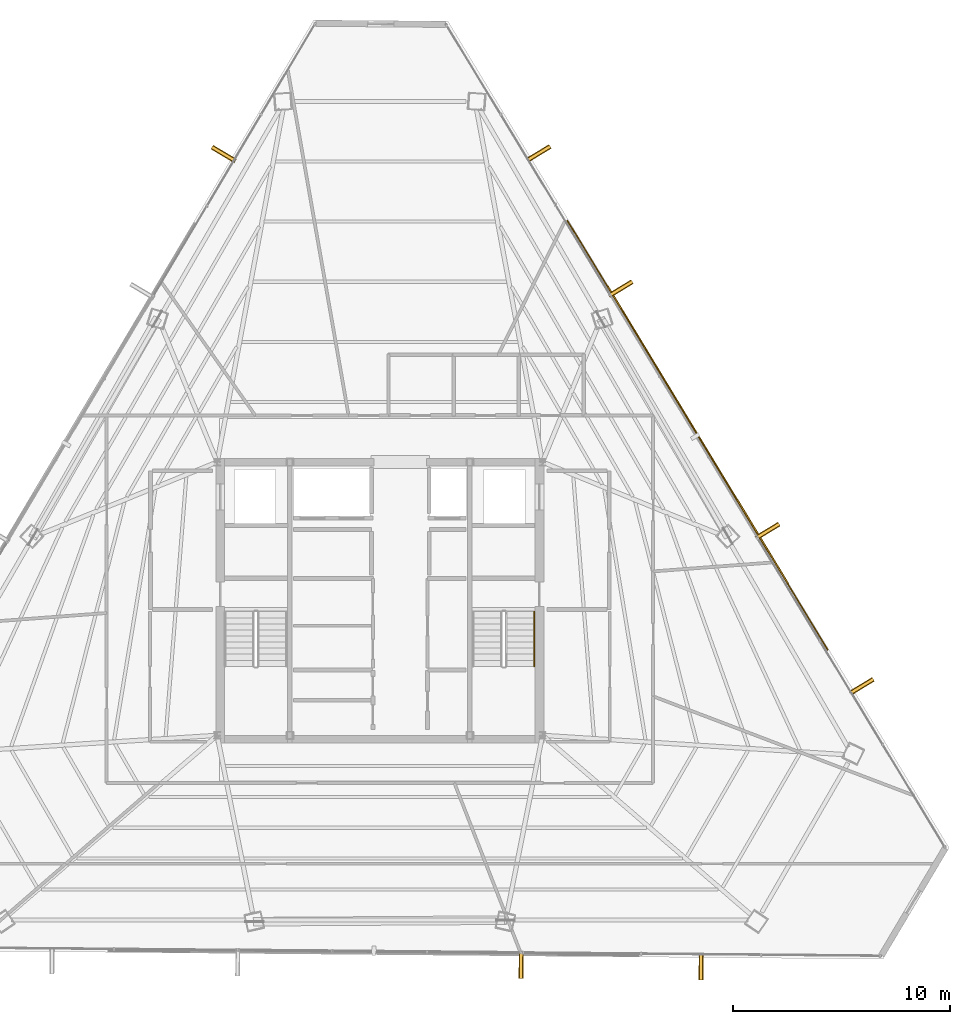
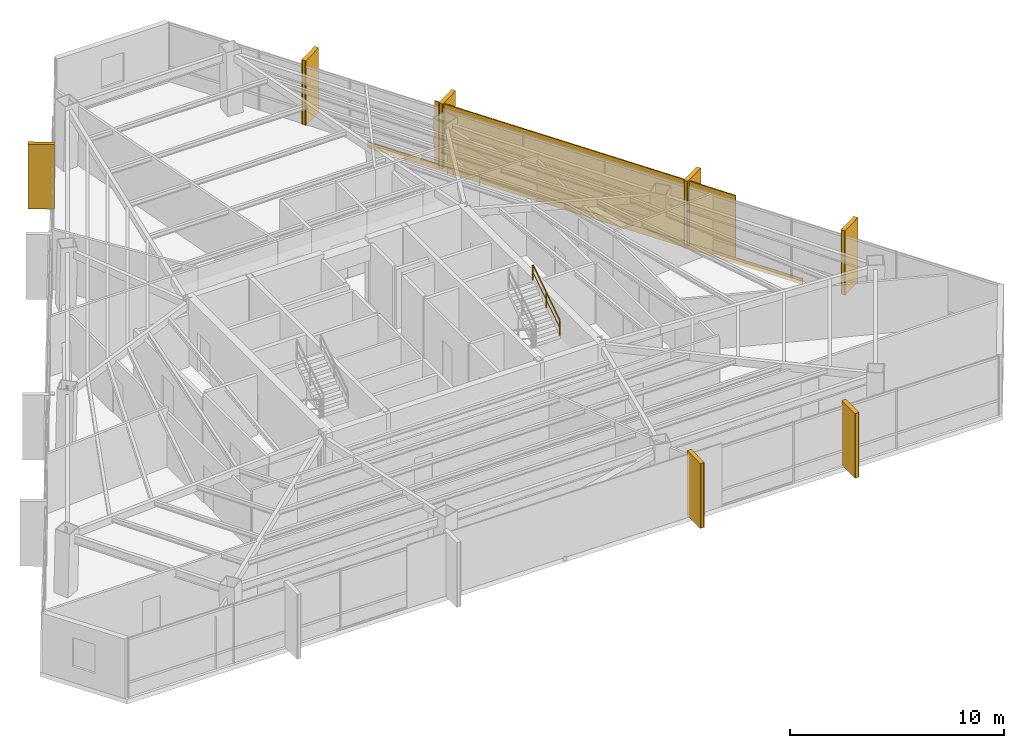
# One storey, part 47 of 47: 8 coverings, 8 shading devices, 1 railing.
"""IFC4 building model written with IfcOpenShell, lengths in metres."""

from ifc_helpers import new_model, si_unit, direction, frame, origin, origin_2d, place, context, subcontext, project, spatial, rectangle, extrude, source, transform, mapped, material, layer, layer_set, type_object, type_shapes, element, save


model = new_model("IFC4")

# Units and contexts
model_context = context("Model", 3, precision=1e-05, world=origin(), true_north=direction((0.0, 1.0)))
body_context = subcontext(model_context, "Body", "Model", "MODEL_VIEW")
ifc_project = project(units=[si_unit("LENGTHUNIT", "METRE"), si_unit("AREAUNIT", "SQUARE_METRE"), si_unit("VOLUMEUNIT", "CUBIC_METRE"), si_unit("PLANEANGLEUNIT", "RADIAN"), si_unit("MASSUNIT", "GRAM", prefix="KILO")], contexts=[model_context])

# Site, building, storey
site_placement = place(None, origin())
site = spatial("IfcSite", under=ifc_project, at=site_placement, CompositionType="ELEMENT")
building_placement = place(site_placement, origin())
building = spatial("IfcBuilding", under=site, at=building_placement, Name="Caelisora Broadcast Tower", CompositionType="ELEMENT")
storey_placement = place(building_placement, frame((0.0, 0.0, 229.85009765625)))
storey = spatial("IfcBuildingStorey", under=building, at=storey_placement, Name="L60", CompositionType="ELEMENT", Elevation=229.85009765625)

# Railing
ifc_material_1 = material(Name="Stainless Steel Grade 316 Tubular Handrail", Category="steel")
ifc_layer_1 = layer(ifc_material_1, 0.048095703125, Name="Stainless Steel Grade 316 Tubular Handrail")
ifc_layer_set_1 = layer_set([ifc_layer_1], Name="Stainless Steel Grade 316 Tubular Handrail")
railing_type = type_object("IfcRailingType", Name="HR-1", PredefinedType="HANDRAIL", material=ifc_layer_set_1)
railing_placement = place(storey_placement, frame((45.1298828125, 20.580078125, 2.00732421875)))
element("IfcRailing", 1, at=railing_placement, inside=storey, type_object=railing_type, Name="L60 ST-2 stair handrail 2", PredefinedType="HANDRAIL", context=body_context, shape_type="SweptSolid", body=[
    extrude(rectangle(XDim=0.048095703125, YDim=0.048095703125, at=origin_2d()), frame((0.0, 0.0, 0.8759765625), z_axis=(0.0, 0.837749427056, 0.546054848405), x_axis=(-1.0, 0.0, 0.0)), (0.0, 0.0, 1.0), 3.008056640625),
    extrude(rectangle(XDim=0.03125, YDim=0.03125, at=origin_2d()), frame((0.0, 0.0, 0.449951171875), z_axis=(0.0, 0.837749427056, 0.546054848405), x_axis=(-1.0, 0.0, 0.0)), (0.0, 0.0, 1.0), 3.008056640625),
    extrude(rectangle(XDim=0.0419921875, YDim=0.0419921875, at=origin_2d()), origin(), (0.0, 0.0, 1.0), 0.851806640625),
    extrude(rectangle(XDim=0.0419921875, YDim=0.0419921875, at=origin_2d()), frame((0.0, 1.260009765625, 0.8212890625)), (0.0, 0.0, 1.0), 0.851806640625),
    extrude(rectangle(XDim=0.0419921875, YDim=0.0419921875, at=origin_2d()), frame((0.0, 2.52001953125, 1.642578125)), (0.0, 0.0, 1.0), 0.851806640625),
])

# Coverings
ifc_material_2 = material(Name="Kiln-Fired Terracotta Spandrel Rainscreen Cladding", Category="ceramic")
ifc_layer_2 = layer(ifc_material_2, 0.044921875, Name="Kiln-Fired Terracotta Spandrel Rainscreen Cladding")
ifc_layer_set_2 = layer_set([ifc_layer_2], Name="Kiln-Fired Terracotta Spandrel Rainscreen Cladding")
covering_type = type_object("IfcCoveringType", Name="CL-1", PredefinedType="CLADDING", material=ifc_layer_set_2)
shared_shape_1 = source(origin(), body_context, "Body", "SweptSolid", [
    extrude(rectangle(XDim=0.219970703125, YDim=1.25, at=origin_2d()), origin(), (0.0, 0.0, 1.0), 3.68994140625),
])
for number, where, z_axis, x_axis, name in (
    (2, (45.322998046875, 44.233642578125, -0.02001953125), (0.0, 0.0, 1.0), (0.518474806022, -0.855092904614, 0.0), "L60 vertical solar fin cladding #1-1"),
    (3, (49.10595703125, 37.993896484375, -0.02001953125), (0.0, 0.0, 1.0), (0.518474806022, -0.855092904614, 0.0), "L60 vertical solar fin cladding #1-2"),
    (4, (55.881103515625, 26.819091796875, -0.02001953125), (0.0, 0.0, 1.0), (0.518474806022, -0.855092904614, 0.0), "L60 vertical solar fin cladding #1-3"),
    (5, (60.220947265625, 19.66064453125, -0.02001953125), (0.0, 0.0, 1.0), (0.518474806022, -0.855092904614, 0.0), "L60 vertical solar fin cladding #1-4"),
    (6, (52.81689453125, 6.74365234375, -0.02001953125), (0.0, 0.0, 1.0), (-0.999960384766, 0.008901061644, 0.0), "L60 vertical solar fin cladding #2-1"),
    (7, (44.517822265625, 6.817138671875, -0.02001953125), (0.0, 0.0, 1.0), (-0.999960384766, 0.008901061644, 0.0), "L60 vertical solar fin cladding #2-2"),
    (8, (30.799072265625, 44.20556640625, -0.02001953125), (0.0, 0.0, 1.0), (0.510843031866, 0.859674006117, 0.0), "L60 vertical solar fin cladding #3-4"),
):
    element("IfcCovering", number, at=place(storey_placement, frame(where, z_axis=z_axis, x_axis=x_axis)), inside=storey, type_object=covering_type, Name=name, PredefinedType="CLADDING", context=body_context, shape_type="MappedRepresentation", body=[
        mapped(shared_shape_1, transform((0.0, 0.0, 0.0), scale=1.0)),
    ])

# Shading devices
ifc_material_3 = material(Name="Extruded Terracotta Flaring Colonnade Fin", Category="ceramic")
ifc_layer_3 = layer(ifc_material_3, 0.139892578125, Name="Extruded Terracotta Flaring Colonnade Fin")
ifc_layer_set_3 = layer_set([ifc_layer_3], Name="Extruded Terracotta Flaring Colonnade Fin")
shading_device_type_1 = type_object("IfcShadingDeviceType", Name="FN-1", PredefinedType="USERDEFINED", material=ifc_layer_set_3)
shared_shape_2 = source(origin(), body_context, "Body", "SweptSolid", [
    extrude(rectangle(XDim=0.139892578125, YDim=1.25, at=origin_2d()), origin(), (0.0, 0.0, 1.0), 3.669921875),
])
type_shapes(shading_device_type_1, [shared_shape_2])
for number, where, z_axis, x_axis, name in (
    (9, (45.322998046875, 44.233642578125, -0.010009765625), (0.0, 0.0, 1.0), (0.518474806022, -0.855092904614, 0.0), "L60 vertical terracotta fin #1-1"),
    (10, (49.10595703125, 37.993896484375, -0.010009765625), (0.0, 0.0, 1.0), (0.518474806022, -0.855092904614, 0.0), "L60 vertical terracotta fin #1-2"),
    (11, (55.881103515625, 26.819091796875, -0.010009765625), (0.0, 0.0, 1.0), (0.518474806022, -0.855092904614, 0.0), "L60 vertical terracotta fin #1-3"),
    (12, (60.220947265625, 19.66064453125, -0.010009765625), (0.0, 0.0, 1.0), (0.518474806022, -0.855092904614, 0.0), "L60 vertical terracotta fin #1-4"),
    (13, (52.81689453125, 6.74365234375, -0.010009765625), (0.0, 0.0, 1.0), (-0.999960384766, 0.008901061644, 0.0), "L60 vertical terracotta fin #2-1"),
    (14, (44.517822265625, 6.817138671875, -0.010009765625), (0.0, 0.0, 1.0), (-0.999960384766, 0.008901061644, 0.0), "L60 vertical terracotta fin #2-2"),
    (15, (30.799072265625, 44.20556640625, -0.010009765625), (0.0, 0.0, 1.0), (0.510843031866, 0.859674006117, 0.0), "L60 vertical terracotta fin #3-4"),
):
    element("IfcShadingDevice", number, at=place(storey_placement, frame(where, z_axis=z_axis, x_axis=x_axis)), inside=storey, type_object=shading_device_type_1, Name=name, ObjectType="FIN", PredefinedType="USERDEFINED", context=body_context, shape_type="MappedRepresentation", body=[
        mapped(shared_shape_2, transform((0.0, 0.0, 0.0), scale=1.0)),
    ])
ifc_material_4 = material(Name="Perforated Glazed Terracotta Baguette Solar Screen", Category="ceramic")
ifc_layer_4 = layer(ifc_material_4, 0.06494140625, Name="Perforated Glazed Terracotta Baguette Solar Screen")
ifc_layer_set_4 = layer_set([ifc_layer_4], Name="Perforated Glazed Terracotta Baguette Solar Screen")
shading_device_type_2 = type_object("IfcShadingDeviceType", Name="SS-1", PredefinedType="USERDEFINED", material=ifc_layer_set_4)
shared_shape_3 = source(origin(), body_context, "Body", "SweptSolid", [
    extrude(rectangle(XDim=16.048095703125, YDim=0.06494140625, at=origin_2d()), origin(), (0.0, 0.0, 1.0), 3.590087890625),
])
type_shapes(shading_device_type_2, [shared_shape_3])
shading_device_placement = place(storey_placement, frame((52.667236328125, 31.251708984375, 0.0), z_axis=(0.0, 0.0, 1.0), x_axis=(-0.518474806022, 0.855092904614, 0.0)))
element("IfcShadingDevice", 16, at=shading_device_placement, inside=storey, type_object=shading_device_type_2, Name="L60 perforated terracotta solar screen #3", ObjectType="SOLAR SCREEN", PredefinedType="USERDEFINED", context=body_context, shape_type="MappedRepresentation", body=[
    mapped(shared_shape_3, transform((0.0, 0.0, 0.0), scale=1.0)),
])

# Covering
shared_shape_4 = source(origin(), body_context, "Body", "SweptSolid", [
    extrude(rectangle(XDim=23.179931640625, YDim=0.044921875, at=origin_2d()), origin(), (0.0, 0.0, 1.0), 0.340087890625),
])
type_shapes(covering_type, [shared_shape_1, shared_shape_4])
covering_placement = place(storey_placement, frame((52.650146484375, 31.241455078125, -0.27001953125), z_axis=(0.0, 0.0, 1.0), x_axis=(-0.518474806022, 0.855092904614, 0.0)))
element("IfcCovering", 17, at=covering_placement, inside=storey, type_object=covering_type, Name="L60 terracotta spandrel rainscreen #3", PredefinedType="CLADDING", context=body_context, shape_type="MappedRepresentation", body=[
    mapped(shared_shape_4, transform((0.0, 0.0, 0.0), scale=1.0)),
])

save(model, "model.ifc")
